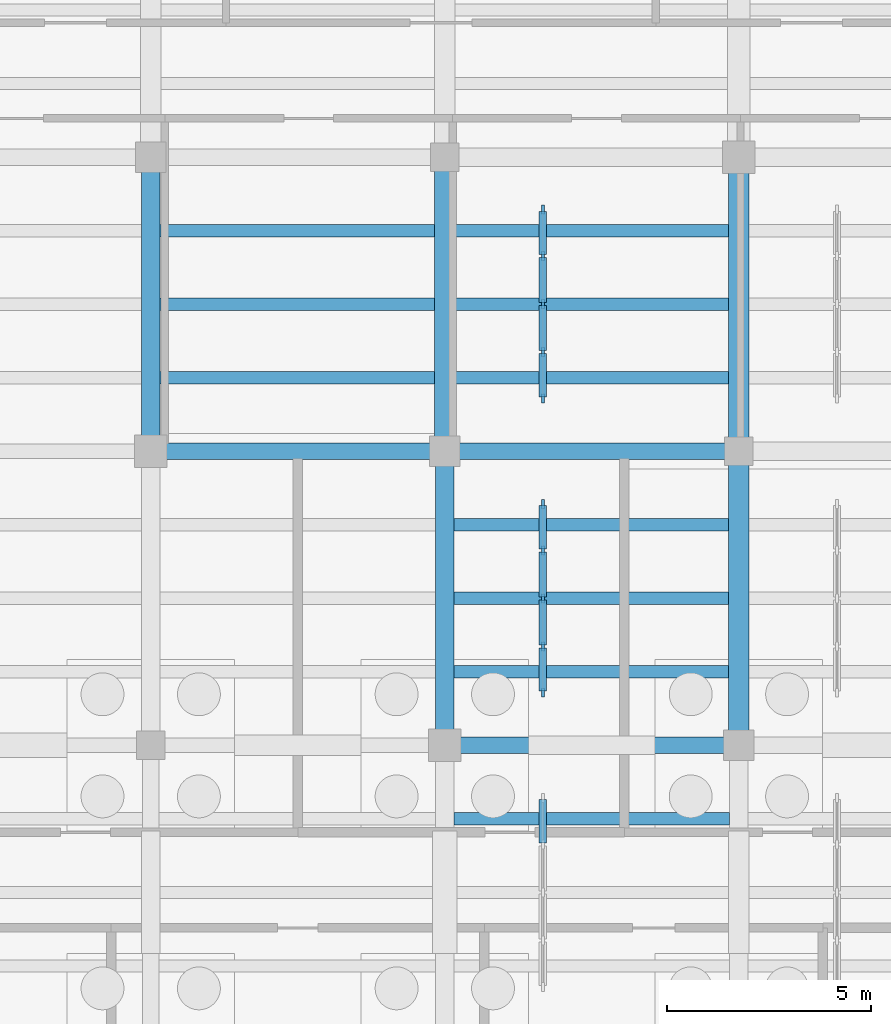
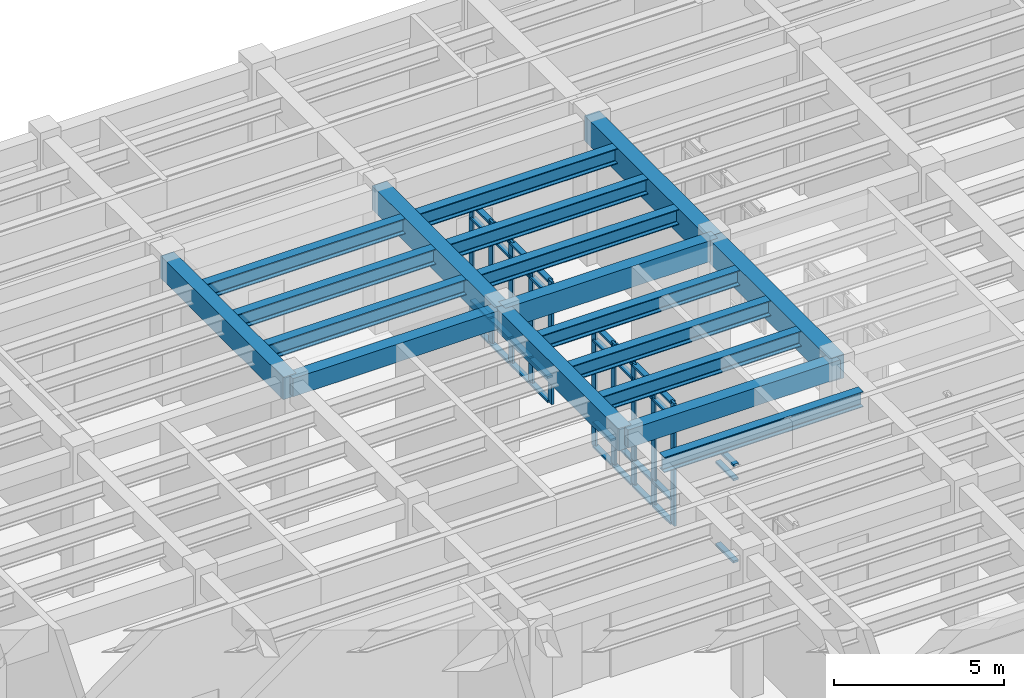
# One storey, part 17 of 100: 45 members, 18 beams, 3 elements without a shape of their own.
"""IFC4 building model written with IfcOpenShell, lengths in metres."""

from ifc_helpers import new_model, si_unit, direction, frame, origin, origin_2d, place, context, subcontext, project, spatial, rectangle, i_section, extrude, material, material_profile, profile_set, type_object, element, aggregate, save


model = new_model("IFC4")

# Units and contexts
model_context = context("Model", 3, precision=1e-05, world=origin(), true_north=direction((0.0, 1.0)))
body_context = subcontext(model_context, "Body", "Model", "MODEL_VIEW")
ifc_project = project(units=[si_unit("LENGTHUNIT", "METRE"), si_unit("AREAUNIT", "SQUARE_METRE"), si_unit("VOLUMEUNIT", "CUBIC_METRE"), si_unit("PLANEANGLEUNIT", "RADIAN"), si_unit("MASSUNIT", "GRAM", prefix="KILO")], contexts=[model_context])

# Site, building, storey
site_placement = place(None, origin())
site = spatial("IfcSite", under=ifc_project, at=site_placement, CompositionType="ELEMENT")
building_placement = place(site_placement, origin())
building = spatial("IfcBuilding", under=site, at=building_placement, Name="Mithqara Police Headquarters", CompositionType="ELEMENT")
storey_placement = place(building_placement, origin())
storey = spatial("IfcBuildingStorey", under=building, at=storey_placement, Name="L00", CompositionType="ELEMENT", Elevation=0.0)

# Beams
ifc_material_1 = material(Name="Steel S355JR", Category="steel")
ifc_material_profile_1 = material_profile(ifc_material_1, i_section(OverallWidth=0.300048828125, OverallDepth=0.550048828125, WebThickness=0.014892578125, FlangeThickness=0.029052734375, FilletRadius=0.027099609375, at=origin_2d()), Name="HEB 550")
ifc_profile_set_1 = profile_set([ifc_material_profile_1], Name="Steel S355JR")
beam_type_1 = type_object("IfcBeamType", Name="BEAM HEB550", PredefinedType="BEAM", material=ifc_profile_set_1)
for number, where, z_axis, x_axis, name in (
    (1, (108.824951171875, 22.800048828125, 4.844970703125), (1.0, 0.0, 0.0), (0.0, 1.0, 0.0), "L00 Composite Steel Joist 16-17/D.1"),
    (2, (108.824951171875, 24.60009765625, 4.844970703125), (1.0, 0.0, 0.0), (0.0, 1.0, 0.0), "L00 Composite Steel Joist 16-17/D.2"),
    (3, (108.824951171875, 26.39990234375, 4.844970703125), (1.0, 0.0, 0.0), (0.0, 1.0, 0.0), "L00 Composite Steel Joist 16-17/D.3"),
):
    element("IfcBeam", number, at=place(storey_placement, frame(where, z_axis=z_axis, x_axis=x_axis)), inside=storey, type_object=beam_type_1, Name=name, PredefinedType="BEAM", context=body_context, shape_type="SweptSolid", body=[
        extrude(i_section(OverallWidth=0.300048828125, OverallDepth=0.550048828125, WebThickness=0.014892578125, FlangeThickness=0.029052734375, FilletRadius=0.027099609375, at=origin_2d()), origin(), (0.0, 0.0, 1.0), 6.72509765625),
    ])
beam_1_placement = place(storey_placement, frame((116.02490234375, 12.0, 4.844970703125), z_axis=(1.0, 0.0, 0.0), x_axis=(0.0, 1.0, 0.0)))
element("IfcBeam", 4, at=beam_1_placement, inside=storey, type_object=beam_type_1, Name="L00 Composite Steel Joist 17-18/B.3", PredefinedType="BEAM", context=body_context, shape_type="SweptSolid", body=[
    extrude(i_section(OverallWidth=0.300048828125, OverallDepth=0.550048828125, WebThickness=0.014892578125, FlangeThickness=0.029052734375, FilletRadius=0.027099609375, at=origin_2d()), origin(), (0.0, 0.0, 1.0), 6.75),
])
for number, where, z_axis, x_axis, name in (
    (5, (116.02490234375, 15.60009765625, 4.844970703125), (1.0, 0.0, 0.0), (0.0, 1.0, 0.0), "L00 Composite Steel Joist 17-18/C.1"),
    (6, (116.02490234375, 17.39990234375, 4.844970703125), (1.0, 0.0, 0.0), (0.0, 1.0, 0.0), "L00 Composite Steel Joist 17-18/C.2"),
    (7, (116.02490234375, 19.199951171875, 4.844970703125), (1.0, 0.0, 0.0), (0.0, 1.0, 0.0), "L00 Composite Steel Joist 17-18/C.3"),
):
    element("IfcBeam", number, at=place(storey_placement, frame(where, z_axis=z_axis, x_axis=x_axis)), inside=storey, type_object=beam_type_1, Name=name, PredefinedType="BEAM", context=body_context, shape_type="SweptSolid", body=[
        extrude(i_section(OverallWidth=0.300048828125, OverallDepth=0.550048828125, WebThickness=0.014892578125, FlangeThickness=0.029052734375, FilletRadius=0.027099609375, at=origin_2d()), origin(), (0.0, 0.0, 1.0), 6.72509765625),
    ])
for number, where, z_axis, x_axis, name in (
    (8, (116.050048828125, 22.800048828125, 4.844970703125), (1.0, 0.0, 0.0), (0.0, 1.0, 0.0), "L00 Composite Steel Joist 17-18/D.1"),
    (9, (116.050048828125, 24.60009765625, 4.844970703125), (1.0, 0.0, 0.0), (0.0, 1.0, 0.0), "L00 Composite Steel Joist 17-18/D.2"),
    (10, (116.050048828125, 26.39990234375, 4.844970703125), (1.0, 0.0, 0.0), (0.0, 1.0, 0.0), "L00 Composite Steel Joist 17-18/D.3"),
):
    element("IfcBeam", number, at=place(storey_placement, frame(where, z_axis=z_axis, x_axis=x_axis)), inside=storey, type_object=beam_type_1, Name=name, PredefinedType="BEAM", context=body_context, shape_type="SweptSolid", body=[
        extrude(i_section(OverallWidth=0.300048828125, OverallDepth=0.550048828125, WebThickness=0.014892578125, FlangeThickness=0.029052734375, FilletRadius=0.027099609375, at=origin_2d()), origin(), (0.0, 0.0, 1.0), 6.699951171875),
    ])
ifc_material_2 = material(Name="Concrete C40/50", Category="concrete")
ifc_material_profile_2 = material_profile(ifc_material_2, rectangle(XDim=0.39990234375, YDim=0.64990234375, at=origin_2d()), Name="RC 400x650")
ifc_profile_set_2 = profile_set([ifc_material_profile_2], Name="Concrete C40/50")
beam_type_2 = type_object("IfcBeamType", Name="BEAM RC400X650", PredefinedType="BEAM", material=ifc_profile_set_2)
for number, where, z_axis, x_axis, name in (
    (11, (108.60009765625, 21.0, 4.794921875), (1.0, 0.0, 0.0), (0.0, 1.0, 0.0), "L00 Girder 16-17/D"),
    (12, (115.800048828125, 13.800048828125, 4.794921875), (1.0, 0.0, 0.0), (0.0, 1.0, 0.0), "L00 Girder 17-18/C"),
):
    element("IfcBeam", number, at=place(storey_placement, frame(where, z_axis=z_axis, x_axis=x_axis)), inside=storey, type_object=beam_type_2, Name=name, PredefinedType="BEAM", context=body_context, shape_type="SweptSolid", body=[
        extrude(rectangle(XDim=0.39990234375, YDim=0.64990234375, at=origin_2d()), origin(), (0.0, 0.0, 1.0), 7.199951171875),
    ])
ifc_material_profile_3 = material_profile(ifc_material_2, rectangle(XDim=0.39990234375, YDim=0.75, at=origin_2d()), Name="RC 400x750")
ifc_profile_set_3 = profile_set([ifc_material_profile_3], Name="Concrete C40/50")
beam_type_3 = type_object("IfcBeamType", Name="BEAM RC400X750", PredefinedType="BEAM", material=ifc_profile_set_3)
beam_2_placement = place(storey_placement, frame((115.800048828125, 21.0, 4.7451171875), z_axis=(1.0, 0.0, 0.0), x_axis=(0.0, 1.0, 0.0)))
element("IfcBeam", 13, at=beam_2_placement, inside=storey, type_object=beam_type_3, Name="L00 Girder 17-18/D", PredefinedType="BEAM", context=body_context, shape_type="SweptSolid", body=[
    extrude(rectangle(XDim=0.39990234375, YDim=0.75, at=origin_2d()), origin(), (0.0, 0.0, 1.0), 7.199951171875),
])
ifc_material_profile_4 = material_profile(ifc_material_2, rectangle(XDim=0.449951171875, YDim=0.800048828125, at=origin_2d()), Name="RC 450x800")
ifc_profile_set_4 = profile_set([ifc_material_profile_4], Name="Concrete C40/50")
beam_type_4 = type_object("IfcBeamType", Name="BEAM RC450X800", PredefinedType="BEAM", material=ifc_profile_set_4)
for number, where, z_axis, x_axis, name in (
    (14, (108.60009765625, 21.0, 4.719970703125), (0.0, 1.0, 0.0), (-1.0, 0.0, 0.0), "L00 Girder 16/D-E"),
    (15, (115.800048828125, 13.800048828125, 4.719970703125), (0.0, 1.0, 0.0), (-1.0, 0.0, 0.0), "L00 Girder 17/C-D"),
):
    element("IfcBeam", number, at=place(storey_placement, frame(where, z_axis=z_axis, x_axis=x_axis)), inside=storey, type_object=beam_type_4, Name=name, PredefinedType="BEAM", context=body_context, shape_type="SweptSolid", body=[
        extrude(rectangle(XDim=0.449951171875, YDim=0.800048828125, at=origin_2d()), origin(), (0.0, 0.0, 1.0), 7.199951171875),
    ])
ifc_material_profile_5 = material_profile(ifc_material_2, rectangle(XDim=0.5, YDim=0.85009765625, at=origin_2d()), Name="RC 500x850")
ifc_profile_set_5 = profile_set([ifc_material_profile_5], Name="Concrete C40/50")
beam_type_5 = type_object("IfcBeamType", Name="BEAM RC500X850", PredefinedType="BEAM", material=ifc_profile_set_5)
for number, where, z_axis, x_axis, name in (
    (16, (115.800048828125, 21.0, 4.695068359375), (0.0, 1.0, 0.0), (-1.0, 0.0, 0.0), "L00 Girder 17/D-E"),
    (17, (123.0, 13.800048828125, 4.695068359375), (0.0, 1.0, 0.0), (-1.0, 0.0, 0.0), "L00 Girder 18/C-D"),
):
    element("IfcBeam", number, at=place(storey_placement, frame(where, z_axis=z_axis, x_axis=x_axis)), inside=storey, type_object=beam_type_5, Name=name, PredefinedType="BEAM", context=body_context, shape_type="SweptSolid", body=[
        extrude(rectangle(XDim=0.5, YDim=0.85009765625, at=origin_2d()), origin(), (0.0, 0.0, 1.0), 7.199951171875),
    ])
ifc_material_3 = material(Name="Concrete C50/60", Category="concrete")
ifc_material_profile_6 = material_profile(ifc_material_3, rectangle(XDim=0.5, YDim=0.89990234375, at=origin_2d()), Name="RC 500x900")
ifc_profile_set_6 = profile_set([ifc_material_profile_6], Name="Concrete C50/60")
beam_type_6 = type_object("IfcBeamType", Name="BEAM RC500X900", PredefinedType="BEAM", material=ifc_profile_set_6)
beam_3_placement = place(storey_placement, frame((123.0, 21.0, 4.669921875), z_axis=(0.0, 1.0, 0.0), x_axis=(-1.0, 0.0, 0.0)))
element("IfcBeam", 18, at=beam_3_placement, inside=storey, type_object=beam_type_6, Name="L00 Girder 18/D-E", PredefinedType="BEAM", context=body_context, shape_type="SweptSolid", body=[
    extrude(rectangle(XDim=0.5, YDim=0.89990234375, at=origin_2d()), origin(), (0.0, 0.0, 1.0), 7.199951171875),
])

# Curtain wall, members
ifc_material_4 = material(Name="Bronze anodised aluminium 6063-T6", Category="aluminium")
curtain_wall_type = type_object("IfcCurtainWallType", Name="CURTAIN WALL 4700X4400", PredefinedType="USERDEFINED", material=ifc_material_4)
curtain_wall_1_placement = place(storey_placement, origin())
curtain_wall_1 = element("IfcCurtainWall", 19, at=curtain_wall_1_placement, inside=storey, type_object=curtain_wall_type, Name="L00 Unitised Glazing CW-14 (CW-INT-L00-X16-Y02-0)", ObjectType="UNITISED GLAZING", PredefinedType="USERDEFINED")
ifc_material_profile_7 = material_profile(ifc_material_4, rectangle(XDim=0.074951171875, YDim=0.219970703125, at=origin_2d()), Name="CWM 75x220")
ifc_profile_set_7 = profile_set([ifc_material_profile_7], Name="Bronze anodised aluminium 6063-T6")
member_type_1 = type_object("IfcMemberType", Name="CWMULLION 75X220", PredefinedType="MULLION", material=ifc_profile_set_7)
member_1_placement = place(storey_placement, frame((118.199951171875, 15.08740234375, 0.0), z_axis=(0.0, 0.0, 1.0), x_axis=(-1.0, 0.0, 0.0)))
member_1 = element("IfcMember", 20, at=member_1_placement, type_object=member_type_1, Name="CW-14 mullion 1", PredefinedType="MULLION", context=body_context, shape_type="SweptSolid", body=[
    extrude(rectangle(XDim=0.074951171875, YDim=0.219970703125, at=origin_2d()), origin(), (0.0, 0.0, 1.0), 4.39990234375),
])
member_2_placement = place(storey_placement, frame((118.199951171875, 16.22509765625, 0.0), z_axis=(0.0, 0.0, 1.0), x_axis=(-1.0, 0.0, 0.0)))
member_2 = element("IfcMember", 21, at=member_2_placement, type_object=member_type_1, Name="CW-14 mullion 2", PredefinedType="MULLION", context=body_context, shape_type="SweptSolid", body=[
    extrude(rectangle(XDim=0.074951171875, YDim=0.219970703125, at=origin_2d()), origin(), (0.0, 0.0, 1.0), 4.39990234375),
])
member_3_placement = place(storey_placement, frame((118.199951171875, 17.39990234375, 0.0), z_axis=(0.0, 0.0, 1.0), x_axis=(-1.0, 0.0, 0.0)))
member_3 = element("IfcMember", 22, at=member_3_placement, type_object=member_type_1, Name="CW-14 mullion 3", PredefinedType="MULLION", context=body_context, shape_type="SweptSolid", body=[
    extrude(rectangle(XDim=0.074951171875, YDim=0.219970703125, at=origin_2d()), origin(), (0.0, 0.0, 1.0), 4.39990234375),
])
member_4_placement = place(storey_placement, frame((118.199951171875, 18.574951171875, 0.0), z_axis=(0.0, 0.0, 1.0), x_axis=(-1.0, 0.0, 0.0)))
member_4 = element("IfcMember", 23, at=member_4_placement, type_object=member_type_1, Name="CW-14 mullion 4", PredefinedType="MULLION", context=body_context, shape_type="SweptSolid", body=[
    extrude(rectangle(XDim=0.074951171875, YDim=0.219970703125, at=origin_2d()), origin(), (0.0, 0.0, 1.0), 4.39990234375),
])
member_5_placement = place(storey_placement, frame((118.199951171875, 19.71240234375, 0.0), z_axis=(0.0, 0.0, 1.0), x_axis=(-1.0, 0.0, 0.0)))
member_5 = element("IfcMember", 24, at=member_5_placement, type_object=member_type_1, Name="CW-14 mullion 5", PredefinedType="MULLION", context=body_context, shape_type="SweptSolid", body=[
    extrude(rectangle(XDim=0.074951171875, YDim=0.219970703125, at=origin_2d()), origin(), (0.0, 0.0, 1.0), 4.39990234375),
])

curtain_wall_2_placement = place(storey_placement, origin())
curtain_wall_2 = element("IfcCurtainWall", 25, at=curtain_wall_2_placement, inside=storey, type_object=curtain_wall_type, Name="L00 Unitised Glazing CW-14 (CW-INT-L00-X16-Y03-0)", ObjectType="UNITISED GLAZING", PredefinedType="USERDEFINED")
member_6_placement = place(storey_placement, frame((118.199951171875, 22.28759765625, 0.0), z_axis=(0.0, 0.0, 1.0), x_axis=(-1.0, 0.0, 0.0)))
member_6 = element("IfcMember", 26, at=member_6_placement, type_object=member_type_1, Name="CW-14 mullion 1", PredefinedType="MULLION", context=body_context, shape_type="SweptSolid", body=[
    extrude(rectangle(XDim=0.074951171875, YDim=0.219970703125, at=origin_2d()), origin(), (0.0, 0.0, 1.0), 4.39990234375),
])
member_7_placement = place(storey_placement, frame((118.199951171875, 23.425048828125, 0.0), z_axis=(0.0, 0.0, 1.0), x_axis=(-1.0, 0.0, 0.0)))
member_7 = element("IfcMember", 27, at=member_7_placement, type_object=member_type_1, Name="CW-14 mullion 2", PredefinedType="MULLION", context=body_context, shape_type="SweptSolid", body=[
    extrude(rectangle(XDim=0.074951171875, YDim=0.219970703125, at=origin_2d()), origin(), (0.0, 0.0, 1.0), 4.39990234375),
])
member_8_placement = place(storey_placement, frame((118.199951171875, 24.60009765625, 0.0), z_axis=(0.0, 0.0, 1.0), x_axis=(-1.0, 0.0, 0.0)))
member_8 = element("IfcMember", 28, at=member_8_placement, type_object=member_type_1, Name="CW-14 mullion 3", PredefinedType="MULLION", context=body_context, shape_type="SweptSolid", body=[
    extrude(rectangle(XDim=0.074951171875, YDim=0.219970703125, at=origin_2d()), origin(), (0.0, 0.0, 1.0), 4.39990234375),
])
member_9_placement = place(storey_placement, frame((118.199951171875, 25.77490234375, 0.0), z_axis=(0.0, 0.0, 1.0), x_axis=(-1.0, 0.0, 0.0)))
member_9 = element("IfcMember", 29, at=member_9_placement, type_object=member_type_1, Name="CW-14 mullion 4", PredefinedType="MULLION", context=body_context, shape_type="SweptSolid", body=[
    extrude(rectangle(XDim=0.074951171875, YDim=0.219970703125, at=origin_2d()), origin(), (0.0, 0.0, 1.0), 4.39990234375),
])
member_10_placement = place(storey_placement, frame((118.199951171875, 26.91259765625, 0.0), z_axis=(0.0, 0.0, 1.0), x_axis=(-1.0, 0.0, 0.0)))
member_10 = element("IfcMember", 30, at=member_10_placement, type_object=member_type_1, Name="CW-14 mullion 5", PredefinedType="MULLION", context=body_context, shape_type="SweptSolid", body=[
    extrude(rectangle(XDim=0.074951171875, YDim=0.219970703125, at=origin_2d()), origin(), (0.0, 0.0, 1.0), 4.39990234375),
])

curtain_wall_3_placement = place(storey_placement, origin())
curtain_wall_3 = element("IfcCurtainWall", 31, at=curtain_wall_3_placement, inside=storey, type_object=curtain_wall_type, Name="L00 Unitised Glazing CW-14 (CW-INT-L00-X16-Y01-0)", ObjectType="UNITISED GLAZING", PredefinedType="USERDEFINED")
ifc_material_profile_8 = material_profile(ifc_material_4, rectangle(XDim=0.179931640625, YDim=0.074951171875, at=origin_2d()), Name="CWT 180x75")
ifc_profile_set_8 = profile_set([ifc_material_profile_8], Name="Bronze anodised aluminium 6063-T6")
member_type_2 = type_object("IfcMemberType", Name="CWTRANSOM 180X75", PredefinedType="USERDEFINED", material=ifc_profile_set_8)
member_11_placement = place(storey_placement, frame((118.199951171875, 11.41259765625, 0.89990234375), z_axis=(0.0, 1.0, 0.0), x_axis=(-1.0, 0.0, 0.0)))
member_11 = element("IfcMember", 32, at=member_11_placement, type_object=member_type_2, Name="CW-14 transom 4.2", ObjectType="TRANSOM", PredefinedType="USERDEFINED", context=body_context, shape_type="SweptSolid", body=[
    extrude(rectangle(XDim=0.179931640625, YDim=0.074951171875, at=origin_2d()), origin(), (0.0, 0.0, 1.0), 1.0625),
])
member_12_placement = place(storey_placement, frame((118.199951171875, 11.41259765625, 3.85009765625), z_axis=(0.0, 1.0, 0.0), x_axis=(-1.0, 0.0, 0.0)))
member_12 = element("IfcMember", 33, at=member_12_placement, type_object=member_type_2, Name="CW-14 transom 4.3", ObjectType="TRANSOM", PredefinedType="USERDEFINED", context=body_context, shape_type="SweptSolid", body=[
    extrude(rectangle(XDim=0.179931640625, YDim=0.074951171875, at=origin_2d()), origin(), (0.0, 0.0, 1.0), 1.0625),
])
member_13_placement = place(storey_placement, frame((118.199951171875, 11.41259765625, 4.362548828125), z_axis=(0.0, 1.0, 0.0), x_axis=(-1.0, 0.0, 0.0)))
member_13 = element("IfcMember", 34, at=member_13_placement, type_object=member_type_2, Name="CW-14 transom 4.4", ObjectType="TRANSOM", PredefinedType="USERDEFINED", context=body_context, shape_type="SweptSolid", body=[
    extrude(rectangle(XDim=0.179931640625, YDim=0.074951171875, at=origin_2d()), origin(), (0.0, 0.0, 1.0), 1.0625),
])
aggregate(curtain_wall_3, [member_11, member_12, member_13])

# Member
member_14_placement = place(storey_placement, frame((118.199951171875, 15.125, 0.03759765625), z_axis=(0.0, 1.0, 0.0), x_axis=(-1.0, 0.0, 0.0)))
member_14 = element("IfcMember", 35, at=member_14_placement, type_object=member_type_2, Name="CW-14 transom 1.1", ObjectType="TRANSOM", PredefinedType="USERDEFINED", context=body_context, shape_type="SweptSolid", body=[
    extrude(rectangle(XDim=0.179931640625, YDim=0.074951171875, at=origin_2d()), origin(), (0.0, 0.0, 1.0), 1.0625),
])

member_15_placement = place(storey_placement, frame((118.199951171875, 15.125, 0.89990234375), z_axis=(0.0, 1.0, 0.0), x_axis=(-1.0, 0.0, 0.0)))
member_15 = element("IfcMember", 36, at=member_15_placement, type_object=member_type_2, Name="CW-14 transom 1.2", ObjectType="TRANSOM", PredefinedType="USERDEFINED", context=body_context, shape_type="SweptSolid", body=[
    extrude(rectangle(XDim=0.179931640625, YDim=0.074951171875, at=origin_2d()), origin(), (0.0, 0.0, 1.0), 1.0625),
])

member_16_placement = place(storey_placement, frame((118.199951171875, 15.125, 3.85009765625), z_axis=(0.0, 1.0, 0.0), x_axis=(-1.0, 0.0, 0.0)))
member_16 = element("IfcMember", 37, at=member_16_placement, type_object=member_type_2, Name="CW-14 transom 1.3", ObjectType="TRANSOM", PredefinedType="USERDEFINED", context=body_context, shape_type="SweptSolid", body=[
    extrude(rectangle(XDim=0.179931640625, YDim=0.074951171875, at=origin_2d()), origin(), (0.0, 0.0, 1.0), 1.0625),
])

member_17_placement = place(storey_placement, frame((118.199951171875, 15.125, 4.362548828125), z_axis=(0.0, 1.0, 0.0), x_axis=(-1.0, 0.0, 0.0)))
member_17 = element("IfcMember", 38, at=member_17_placement, type_object=member_type_2, Name="CW-14 transom 1.4", ObjectType="TRANSOM", PredefinedType="USERDEFINED", context=body_context, shape_type="SweptSolid", body=[
    extrude(rectangle(XDim=0.179931640625, YDim=0.074951171875, at=origin_2d()), origin(), (0.0, 0.0, 1.0), 1.0625),
])

member_18_placement = place(storey_placement, frame((118.199951171875, 16.262451171875, 0.03759765625), z_axis=(0.0, 1.0, 0.0), x_axis=(-1.0, 0.0, 0.0)))
member_18 = element("IfcMember", 39, at=member_18_placement, type_object=member_type_2, Name="CW-14 transom 2.1", ObjectType="TRANSOM", PredefinedType="USERDEFINED", context=body_context, shape_type="SweptSolid", body=[
    extrude(rectangle(XDim=0.179931640625, YDim=0.074951171875, at=origin_2d()), origin(), (0.0, 0.0, 1.0), 1.10009765625),
])

member_19_placement = place(storey_placement, frame((118.199951171875, 16.262451171875, 0.89990234375), z_axis=(0.0, 1.0, 0.0), x_axis=(-1.0, 0.0, 0.0)))
member_19 = element("IfcMember", 40, at=member_19_placement, type_object=member_type_2, Name="CW-14 transom 2.2", ObjectType="TRANSOM", PredefinedType="USERDEFINED", context=body_context, shape_type="SweptSolid", body=[
    extrude(rectangle(XDim=0.179931640625, YDim=0.074951171875, at=origin_2d()), origin(), (0.0, 0.0, 1.0), 1.10009765625),
])

member_20_placement = place(storey_placement, frame((118.199951171875, 16.262451171875, 3.85009765625), z_axis=(0.0, 1.0, 0.0), x_axis=(-1.0, 0.0, 0.0)))
member_20 = element("IfcMember", 41, at=member_20_placement, type_object=member_type_2, Name="CW-14 transom 2.3", ObjectType="TRANSOM", PredefinedType="USERDEFINED", context=body_context, shape_type="SweptSolid", body=[
    extrude(rectangle(XDim=0.179931640625, YDim=0.074951171875, at=origin_2d()), origin(), (0.0, 0.0, 1.0), 1.10009765625),
])

member_21_placement = place(storey_placement, frame((118.199951171875, 16.262451171875, 4.362548828125), z_axis=(0.0, 1.0, 0.0), x_axis=(-1.0, 0.0, 0.0)))
member_21 = element("IfcMember", 42, at=member_21_placement, type_object=member_type_2, Name="CW-14 transom 2.4", ObjectType="TRANSOM", PredefinedType="USERDEFINED", context=body_context, shape_type="SweptSolid", body=[
    extrude(rectangle(XDim=0.179931640625, YDim=0.074951171875, at=origin_2d()), origin(), (0.0, 0.0, 1.0), 1.10009765625),
])

member_22_placement = place(storey_placement, frame((118.199951171875, 17.4375, 0.03759765625), z_axis=(0.0, 1.0, 0.0), x_axis=(-1.0, 0.0, 0.0)))
member_22 = element("IfcMember", 43, at=member_22_placement, type_object=member_type_2, Name="CW-14 transom 3.1", ObjectType="TRANSOM", PredefinedType="USERDEFINED", context=body_context, shape_type="SweptSolid", body=[
    extrude(rectangle(XDim=0.179931640625, YDim=0.074951171875, at=origin_2d()), origin(), (0.0, 0.0, 1.0), 1.10009765625),
])

member_23_placement = place(storey_placement, frame((118.199951171875, 17.4375, 0.89990234375), z_axis=(0.0, 1.0, 0.0), x_axis=(-1.0, 0.0, 0.0)))
member_23 = element("IfcMember", 44, at=member_23_placement, type_object=member_type_2, Name="CW-14 transom 3.2", ObjectType="TRANSOM", PredefinedType="USERDEFINED", context=body_context, shape_type="SweptSolid", body=[
    extrude(rectangle(XDim=0.179931640625, YDim=0.074951171875, at=origin_2d()), origin(), (0.0, 0.0, 1.0), 1.10009765625),
])

member_24_placement = place(storey_placement, frame((118.199951171875, 17.4375, 3.85009765625), z_axis=(0.0, 1.0, 0.0), x_axis=(-1.0, 0.0, 0.0)))
member_24 = element("IfcMember", 45, at=member_24_placement, type_object=member_type_2, Name="CW-14 transom 3.3", ObjectType="TRANSOM", PredefinedType="USERDEFINED", context=body_context, shape_type="SweptSolid", body=[
    extrude(rectangle(XDim=0.179931640625, YDim=0.074951171875, at=origin_2d()), origin(), (0.0, 0.0, 1.0), 1.10009765625),
])

member_25_placement = place(storey_placement, frame((118.199951171875, 17.4375, 4.362548828125), z_axis=(0.0, 1.0, 0.0), x_axis=(-1.0, 0.0, 0.0)))
member_25 = element("IfcMember", 46, at=member_25_placement, type_object=member_type_2, Name="CW-14 transom 3.4", ObjectType="TRANSOM", PredefinedType="USERDEFINED", context=body_context, shape_type="SweptSolid", body=[
    extrude(rectangle(XDim=0.179931640625, YDim=0.074951171875, at=origin_2d()), origin(), (0.0, 0.0, 1.0), 1.10009765625),
])

member_26_placement = place(storey_placement, frame((118.199951171875, 18.612548828125, 0.03759765625), z_axis=(0.0, 1.0, 0.0), x_axis=(-1.0, 0.0, 0.0)))
member_26 = element("IfcMember", 47, at=member_26_placement, type_object=member_type_2, Name="CW-14 transom 4.1", ObjectType="TRANSOM", PredefinedType="USERDEFINED", context=body_context, shape_type="SweptSolid", body=[
    extrude(rectangle(XDim=0.179931640625, YDim=0.074951171875, at=origin_2d()), origin(), (0.0, 0.0, 1.0), 1.0625),
])

member_27_placement = place(storey_placement, frame((118.199951171875, 18.612548828125, 0.89990234375), z_axis=(0.0, 1.0, 0.0), x_axis=(-1.0, 0.0, 0.0)))
member_27 = element("IfcMember", 48, at=member_27_placement, type_object=member_type_2, Name="CW-14 transom 4.2", ObjectType="TRANSOM", PredefinedType="USERDEFINED", context=body_context, shape_type="SweptSolid", body=[
    extrude(rectangle(XDim=0.179931640625, YDim=0.074951171875, at=origin_2d()), origin(), (0.0, 0.0, 1.0), 1.0625),
])

member_28_placement = place(storey_placement, frame((118.199951171875, 18.612548828125, 3.85009765625), z_axis=(0.0, 1.0, 0.0), x_axis=(-1.0, 0.0, 0.0)))
member_28 = element("IfcMember", 49, at=member_28_placement, type_object=member_type_2, Name="CW-14 transom 4.3", ObjectType="TRANSOM", PredefinedType="USERDEFINED", context=body_context, shape_type="SweptSolid", body=[
    extrude(rectangle(XDim=0.179931640625, YDim=0.074951171875, at=origin_2d()), origin(), (0.0, 0.0, 1.0), 1.0625),
])

member_29_placement = place(storey_placement, frame((118.199951171875, 18.612548828125, 4.362548828125), z_axis=(0.0, 1.0, 0.0), x_axis=(-1.0, 0.0, 0.0)))
member_29 = element("IfcMember", 50, at=member_29_placement, type_object=member_type_2, Name="CW-14 transom 4.4", ObjectType="TRANSOM", PredefinedType="USERDEFINED", context=body_context, shape_type="SweptSolid", body=[
    extrude(rectangle(XDim=0.179931640625, YDim=0.074951171875, at=origin_2d()), origin(), (0.0, 0.0, 1.0), 1.0625),
])

aggregate(curtain_wall_1, [member_1, member_2, member_3, member_4, member_5, member_14, member_15, member_16, member_17, member_18, member_19, member_20, member_21, member_22, member_23, member_24, member_25, member_26, member_27, member_28, member_29])

member_30_placement = place(storey_placement, frame((118.199951171875, 22.324951171875, 0.03759765625), z_axis=(0.0, 1.0, 0.0), x_axis=(-1.0, 0.0, 0.0)))
member_30 = element("IfcMember", 51, at=member_30_placement, type_object=member_type_2, Name="CW-14 transom 1.1", ObjectType="TRANSOM", PredefinedType="USERDEFINED", context=body_context, shape_type="SweptSolid", body=[
    extrude(rectangle(XDim=0.179931640625, YDim=0.074951171875, at=origin_2d()), origin(), (0.0, 0.0, 1.0), 1.0625),
])

member_31_placement = place(storey_placement, frame((118.199951171875, 22.324951171875, 0.89990234375), z_axis=(0.0, 1.0, 0.0), x_axis=(-1.0, 0.0, 0.0)))
member_31 = element("IfcMember", 52, at=member_31_placement, type_object=member_type_2, Name="CW-14 transom 1.2", ObjectType="TRANSOM", PredefinedType="USERDEFINED", context=body_context, shape_type="SweptSolid", body=[
    extrude(rectangle(XDim=0.179931640625, YDim=0.074951171875, at=origin_2d()), origin(), (0.0, 0.0, 1.0), 1.0625),
])

member_32_placement = place(storey_placement, frame((118.199951171875, 22.324951171875, 3.85009765625), z_axis=(0.0, 1.0, 0.0), x_axis=(-1.0, 0.0, 0.0)))
member_32 = element("IfcMember", 53, at=member_32_placement, type_object=member_type_2, Name="CW-14 transom 1.3", ObjectType="TRANSOM", PredefinedType="USERDEFINED", context=body_context, shape_type="SweptSolid", body=[
    extrude(rectangle(XDim=0.179931640625, YDim=0.074951171875, at=origin_2d()), origin(), (0.0, 0.0, 1.0), 1.0625),
])

member_33_placement = place(storey_placement, frame((118.199951171875, 22.324951171875, 4.362548828125), z_axis=(0.0, 1.0, 0.0), x_axis=(-1.0, 0.0, 0.0)))
member_33 = element("IfcMember", 54, at=member_33_placement, type_object=member_type_2, Name="CW-14 transom 1.4", ObjectType="TRANSOM", PredefinedType="USERDEFINED", context=body_context, shape_type="SweptSolid", body=[
    extrude(rectangle(XDim=0.179931640625, YDim=0.074951171875, at=origin_2d()), origin(), (0.0, 0.0, 1.0), 1.0625),
])

member_34_placement = place(storey_placement, frame((118.199951171875, 23.46240234375, 0.03759765625), z_axis=(0.0, 1.0, 0.0), x_axis=(-1.0, 0.0, 0.0)))
member_34 = element("IfcMember", 55, at=member_34_placement, type_object=member_type_2, Name="CW-14 transom 2.1", ObjectType="TRANSOM", PredefinedType="USERDEFINED", context=body_context, shape_type="SweptSolid", body=[
    extrude(rectangle(XDim=0.179931640625, YDim=0.074951171875, at=origin_2d()), origin(), (0.0, 0.0, 1.0), 1.10009765625),
])

member_35_placement = place(storey_placement, frame((118.199951171875, 23.46240234375, 0.89990234375), z_axis=(0.0, 1.0, 0.0), x_axis=(-1.0, 0.0, 0.0)))
member_35 = element("IfcMember", 56, at=member_35_placement, type_object=member_type_2, Name="CW-14 transom 2.2", ObjectType="TRANSOM", PredefinedType="USERDEFINED", context=body_context, shape_type="SweptSolid", body=[
    extrude(rectangle(XDim=0.179931640625, YDim=0.074951171875, at=origin_2d()), origin(), (0.0, 0.0, 1.0), 1.10009765625),
])

member_36_placement = place(storey_placement, frame((118.199951171875, 23.46240234375, 3.85009765625), z_axis=(0.0, 1.0, 0.0), x_axis=(-1.0, 0.0, 0.0)))
member_36 = element("IfcMember", 57, at=member_36_placement, type_object=member_type_2, Name="CW-14 transom 2.3", ObjectType="TRANSOM", PredefinedType="USERDEFINED", context=body_context, shape_type="SweptSolid", body=[
    extrude(rectangle(XDim=0.179931640625, YDim=0.074951171875, at=origin_2d()), origin(), (0.0, 0.0, 1.0), 1.10009765625),
])

member_37_placement = place(storey_placement, frame((118.199951171875, 23.46240234375, 4.362548828125), z_axis=(0.0, 1.0, 0.0), x_axis=(-1.0, 0.0, 0.0)))
member_37 = element("IfcMember", 58, at=member_37_placement, type_object=member_type_2, Name="CW-14 transom 2.4", ObjectType="TRANSOM", PredefinedType="USERDEFINED", context=body_context, shape_type="SweptSolid", body=[
    extrude(rectangle(XDim=0.179931640625, YDim=0.074951171875, at=origin_2d()), origin(), (0.0, 0.0, 1.0), 1.10009765625),
])

member_38_placement = place(storey_placement, frame((118.199951171875, 24.637451171875, 0.03759765625), z_axis=(0.0, 1.0, 0.0), x_axis=(-1.0, 0.0, 0.0)))
member_38 = element("IfcMember", 59, at=member_38_placement, type_object=member_type_2, Name="CW-14 transom 3.1", ObjectType="TRANSOM", PredefinedType="USERDEFINED", context=body_context, shape_type="SweptSolid", body=[
    extrude(rectangle(XDim=0.179931640625, YDim=0.074951171875, at=origin_2d()), origin(), (0.0, 0.0, 1.0), 1.10009765625),
])

member_39_placement = place(storey_placement, frame((118.199951171875, 24.637451171875, 0.89990234375), z_axis=(0.0, 1.0, 0.0), x_axis=(-1.0, 0.0, 0.0)))
member_39 = element("IfcMember", 60, at=member_39_placement, type_object=member_type_2, Name="CW-14 transom 3.2", ObjectType="TRANSOM", PredefinedType="USERDEFINED", context=body_context, shape_type="SweptSolid", body=[
    extrude(rectangle(XDim=0.179931640625, YDim=0.074951171875, at=origin_2d()), origin(), (0.0, 0.0, 1.0), 1.10009765625),
])

member_40_placement = place(storey_placement, frame((118.199951171875, 24.637451171875, 3.85009765625), z_axis=(0.0, 1.0, 0.0), x_axis=(-1.0, 0.0, 0.0)))
member_40 = element("IfcMember", 61, at=member_40_placement, type_object=member_type_2, Name="CW-14 transom 3.3", ObjectType="TRANSOM", PredefinedType="USERDEFINED", context=body_context, shape_type="SweptSolid", body=[
    extrude(rectangle(XDim=0.179931640625, YDim=0.074951171875, at=origin_2d()), origin(), (0.0, 0.0, 1.0), 1.10009765625),
])

member_41_placement = place(storey_placement, frame((118.199951171875, 24.637451171875, 4.362548828125), z_axis=(0.0, 1.0, 0.0), x_axis=(-1.0, 0.0, 0.0)))
member_41 = element("IfcMember", 62, at=member_41_placement, type_object=member_type_2, Name="CW-14 transom 3.4", ObjectType="TRANSOM", PredefinedType="USERDEFINED", context=body_context, shape_type="SweptSolid", body=[
    extrude(rectangle(XDim=0.179931640625, YDim=0.074951171875, at=origin_2d()), origin(), (0.0, 0.0, 1.0), 1.10009765625),
])

member_42_placement = place(storey_placement, frame((118.199951171875, 25.8125, 0.03759765625), z_axis=(0.0, 1.0, 0.0), x_axis=(-1.0, 0.0, 0.0)))
member_42 = element("IfcMember", 63, at=member_42_placement, type_object=member_type_2, Name="CW-14 transom 4.1", ObjectType="TRANSOM", PredefinedType="USERDEFINED", context=body_context, shape_type="SweptSolid", body=[
    extrude(rectangle(XDim=0.179931640625, YDim=0.074951171875, at=origin_2d()), origin(), (0.0, 0.0, 1.0), 1.0625),
])

member_43_placement = place(storey_placement, frame((118.199951171875, 25.8125, 0.89990234375), z_axis=(0.0, 1.0, 0.0), x_axis=(-1.0, 0.0, 0.0)))
member_43 = element("IfcMember", 64, at=member_43_placement, type_object=member_type_2, Name="CW-14 transom 4.2", ObjectType="TRANSOM", PredefinedType="USERDEFINED", context=body_context, shape_type="SweptSolid", body=[
    extrude(rectangle(XDim=0.179931640625, YDim=0.074951171875, at=origin_2d()), origin(), (0.0, 0.0, 1.0), 1.0625),
])

member_44_placement = place(storey_placement, frame((118.199951171875, 25.8125, 3.85009765625), z_axis=(0.0, 1.0, 0.0), x_axis=(-1.0, 0.0, 0.0)))
member_44 = element("IfcMember", 65, at=member_44_placement, type_object=member_type_2, Name="CW-14 transom 4.3", ObjectType="TRANSOM", PredefinedType="USERDEFINED", context=body_context, shape_type="SweptSolid", body=[
    extrude(rectangle(XDim=0.179931640625, YDim=0.074951171875, at=origin_2d()), origin(), (0.0, 0.0, 1.0), 1.0625),
])

member_45_placement = place(storey_placement, frame((118.199951171875, 25.8125, 4.362548828125), z_axis=(0.0, 1.0, 0.0), x_axis=(-1.0, 0.0, 0.0)))
member_45 = element("IfcMember", 66, at=member_45_placement, type_object=member_type_2, Name="CW-14 transom 4.4", ObjectType="TRANSOM", PredefinedType="USERDEFINED", context=body_context, shape_type="SweptSolid", body=[
    extrude(rectangle(XDim=0.179931640625, YDim=0.074951171875, at=origin_2d()), origin(), (0.0, 0.0, 1.0), 1.0625),
])

aggregate(curtain_wall_2, [member_6, member_7, member_8, member_9, member_10, member_30, member_31, member_32, member_33, member_34, member_35, member_36, member_37, member_38, member_39, member_40, member_41, member_42, member_43, member_44, member_45])

save(model, "model.ifc")
